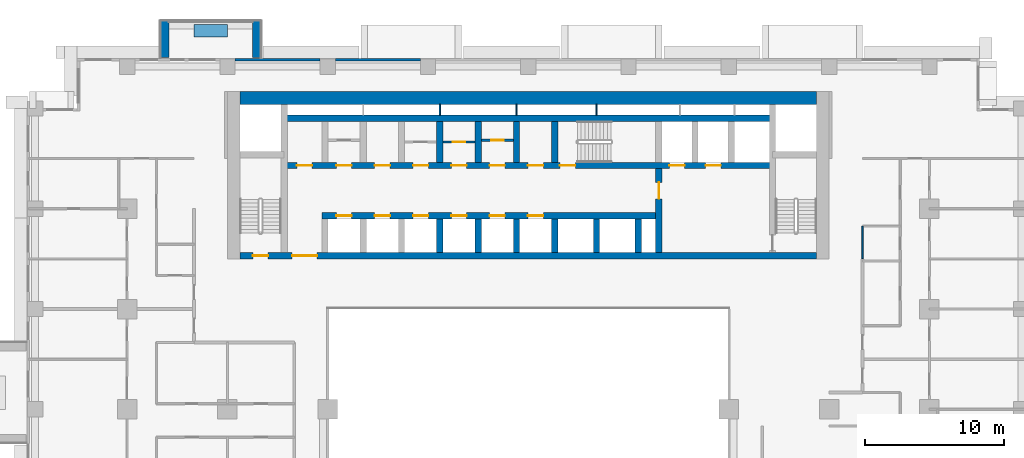
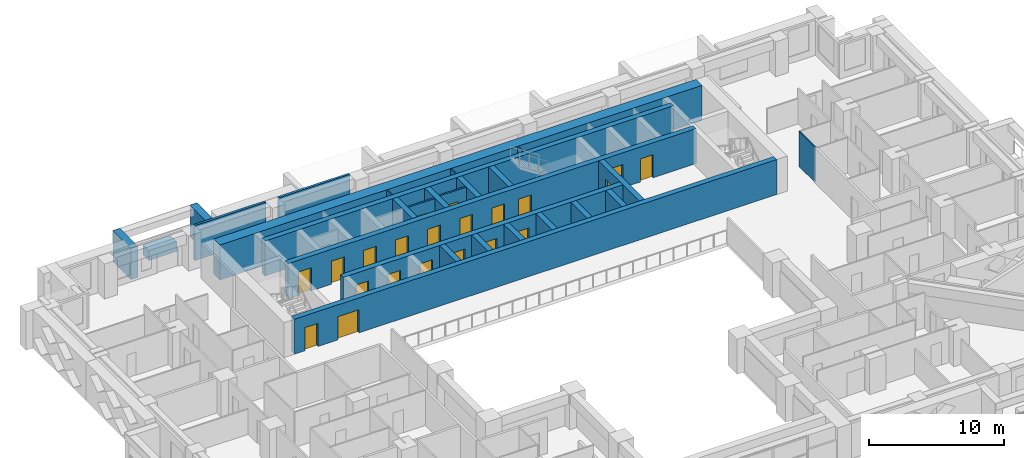
# One storey, part 10 of 16: 27 walls, 21 doors, 21 openings.
"""IFC4 building model written with IfcOpenShell, lengths in metres."""

from ifc_helpers import new_model, si_unit, direction, frame, frame_2d, origin, place, context, subcontext, project, spatial, rectangle, extrude, material, layer, layer_set, type_object, element, fill, save


model = new_model("IFC4")

# Units and contexts
model_context = context("Model", 3, precision=1e-05, world=origin(), true_north=direction((0.0, 1.0)))
body_context = subcontext(model_context, "Body", "Model", "MODEL_VIEW")
ifc_project = project(units=[si_unit("LENGTHUNIT", "METRE"), si_unit("AREAUNIT", "SQUARE_METRE"), si_unit("VOLUMEUNIT", "CUBIC_METRE"), si_unit("PLANEANGLEUNIT", "RADIAN"), si_unit("MASSUNIT", "GRAM", prefix="KILO")], contexts=[model_context])

# Site, building, storey
site_placement = place(None, origin())
site = spatial("IfcSite", under=ifc_project, at=site_placement, CompositionType="ELEMENT")
building_placement = place(site_placement, origin())
building = spatial("IfcBuilding", under=site, at=building_placement, Name="Saffron Iwan Residences", CompositionType="ELEMENT")
storey_placement = place(building_placement, frame((0.0, 0.0, 30.5)))
storey = spatial("IfcBuildingStorey", under=building, at=storey_placement, Name="L06", CompositionType="ELEMENT", Elevation=30.5)

# Walls
ifc_material_1 = material(Name="Concrete C50/60 white painted", Category="concrete")
ifc_layer_1 = layer(ifc_material_1, 0.60009765625)
ifc_layer_set_1 = layer_set([ifc_layer_1], Name="Concrete C50/60 white painted")
wall_type_1 = type_object("IfcWallType", Name="BALCONY FIN 600", PredefinedType="SOLIDWALL", material=ifc_layer_set_1)
for number, where, z_axis, x_axis, name in (
    (1, (30.89990234375, 80.449951171875, 0.0), (0.0, 0.0, 1.0), (0.0, 1.0, 0.0), "Balcony fin L06 F5-3a"),
    (2, (24.300048828125, 80.449951171875, 0.0), (0.0, 0.0, 1.0), (0.0, 1.0, 0.0), "Balcony fin L06 F5-3b"),
):
    element("IfcWall", number, at=place(storey_placement, frame(where, z_axis=z_axis, x_axis=x_axis)), inside=storey, type_object=wall_type_1, Name=name, PredefinedType="SOLIDWALL", context=body_context, shape_type="SweptSolid", body=[
        extrude(rectangle(XDim=2.650146484375, YDim=0.60009765625, at=frame_2d((1.3251953125, 0.0))), origin(), (0.0, 0.0, 1.0), 2.85009765625),
    ])
ifc_material_2 = material(Name="Concrete C35/45 white painted", Category="concrete")
ifc_layer_2 = layer(ifc_material_2, 0.14990234375)
ifc_layer_set_2 = layer_set([ifc_layer_2], Name="Concrete C35/45 white painted")
wall_type_2 = type_object("IfcWallType", Name="BALCONY PLANTER", PredefinedType="SOLIDWALL", material=ifc_layer_set_2)
wall_1_placement = place(storey_placement, frame((28.800048828125, 82.375, 0.0), z_axis=(0.0, 0.0, 1.0), x_axis=(-1.0, 0.0, 0.0)))
element("IfcWall", 3, at=wall_1_placement, inside=storey, type_object=wall_type_2, Name="PLANTER L06 F5-3", PredefinedType="SOLIDWALL", context=body_context, shape_type="SweptSolid", body=[
    extrude(rectangle(XDim=2.400146484375, YDim=0.89990234375, at=frame_2d((1.2001953125, 0.0))), origin(), (0.0, 0.0, 1.0), 0.89990234375),
])

# Wall, opening, door
ifc_material_3 = material(Name="Fire-rated plasterboard partition")
ifc_layer_3 = layer(ifc_material_3, 0.14990234375)
ifc_layer_set_3 = layer_set([ifc_layer_3], Name="Fire-rated plasterboard partition")
wall_type_3 = type_object("IfcWallType", Name="Core partition 150", PredefinedType="PARTITIONING", material=ifc_layer_set_3)
wall_2_placement = place(storey_placement, frame((44.27490234375, 74.39990234375, 0.0), z_axis=(0.0, 0.0, 1.0), x_axis=(1.0, 0.0, 0.0)))
wall_2 = element("IfcWall", 4, at=wall_2_placement, inside=storey, type_object=wall_type_3, Name="Core partition P03", PredefinedType="PARTITIONING", context=body_context, shape_type="SweptSolid", body=[
    extrude(rectangle(XDim=2.300048828125, YDim=0.14990234375, at=frame_2d((1.14990234375, 0.0))), origin(), (0.0, 0.0, 1.0), 3.179931640625),
])
opening_1_placement = place(wall_2_placement, frame((0.699951171875, 0.0, 0.0)))
opening_1 = element("IfcOpeningElement", 5, at=opening_1_placement, cuts=wall_2, Name="Opening SB", PredefinedType="OPENING", context=body_context, shape_type="SweptSolid", body=[
    extrude(rectangle(XDim=0.89990234375, YDim=2.10009765625, at=frame_2d((0.449951171875, 1.050048828125))), frame((0.0, 0.0849609375, 0.0), z_axis=(0.0, -1.0, 0.0), x_axis=(1.0, 0.0, 0.0)), (0.0, 0.0, 1.0), 0.169921875),
])
ifc_material_4 = material(Name="Steel fire door", Category="steel")
door_type_1 = type_object("IfcDoorType", Name="Store door 900", OperationType="NOTDEFINED", PredefinedType="DOOR", material=ifc_material_4)
door_1_placement = place(opening_1_placement, origin())
door_1 = element("IfcDoor", 6, at=door_1_placement, inside=storey, type_object=door_type_1, Name="Door Cabling room", OperationType="SINGLE_SWING_RIGHT", OverallHeight=2.10009765625, OverallWidth=0.89990234375, PredefinedType="DOOR", context=body_context, shape_type="SweptSolid", body=[
    extrude(rectangle(XDim=0.89990234375, YDim=2.10009765625, at=frame_2d((0.449951171875, 1.050048828125))), frame((0.0, 0.02490234375, 0.0), z_axis=(0.0, -1.0, 0.0), x_axis=(1.0, 0.0, 0.0)), (0.0, 0.0, 1.0), 0.050048828125),
])
fill(opening_1, door_1)

wall_3_placement = place(storey_placement, frame((47.02490234375, 74.51806640625, 0.0), z_axis=(0.0, 0.0, 1.0), x_axis=(1.0, 0.0, 0.0)))
wall_3 = element("IfcWall", 7, at=wall_3_placement, inside=storey, type_object=wall_type_3, Name="Core partition P04", PredefinedType="PARTITIONING", context=body_context, shape_type="SweptSolid", body=[
    extrude(rectangle(XDim=2.300048828125, YDim=0.14990234375, at=frame_2d((1.14990234375, 0.0))), origin(), (0.0, 0.0, 1.0), 3.179931640625),
])
opening_2_placement = place(wall_3_placement, frame((0.699951171875, 0.0, 0.0)))
opening_2 = element("IfcOpeningElement", 8, at=opening_2_placement, cuts=wall_3, Name="Opening SB", PredefinedType="OPENING", context=body_context, shape_type="SweptSolid", body=[
    extrude(rectangle(XDim=0.89990234375, YDim=2.10009765625, at=frame_2d((0.449951171875, 1.050048828125))), frame((0.0, 0.0849609375, 0.0), z_axis=(0.0, -1.0, 0.0), x_axis=(1.0, 0.0, 0.0)), (0.0, 0.0, 1.0), 0.169921875),
])
door_2_placement = place(opening_2_placement, origin())
door_2 = element("IfcDoor", 9, at=door_2_placement, inside=storey, type_object=door_type_1, Name="Door Equipment store", OperationType="SINGLE_SWING_RIGHT", OverallHeight=2.10009765625, OverallWidth=0.89990234375, PredefinedType="DOOR", context=body_context, shape_type="SweptSolid", body=[
    extrude(rectangle(XDim=0.89990234375, YDim=2.10009765625, at=frame_2d((0.449951171875, 1.050048828125))), frame((0.0, 0.02490234375, 0.0), z_axis=(0.0, -1.0, 0.0), x_axis=(1.0, 0.0, 0.0)), (0.0, 0.0, 1.0), 0.050048828125),
])
fill(opening_2, door_2)

# Walls
ifc_material_5 = material(Name="Concrete C40/50", Category="concrete")
ifc_layer_4 = layer(ifc_material_5, 0.199951171875)
ifc_layer_set_4 = layer_set([ifc_layer_4], Name="Concrete C40/50")
wall_type_4 = type_object("IfcWallType", Name="EXTERNAL WALL 200", PredefinedType="SOLIDWALL", material=ifc_layer_set_4)
for number, where, z_axis, x_axis, name in (
    (10, (42.64990234375, 80.300048828125, 0.0), (0.0, 0.0, 1.0), (-1.0, 0.0, 0.0), "External wall L06 F5.6"),
    (11, (35.449951171875, 80.300048828125, 0.0), (0.0, 0.0, 1.0), (-1.0, 0.0, 0.0), "External wall L06 F5.7"),
):
    element("IfcWall", number, at=place(storey_placement, frame(where, z_axis=z_axis, x_axis=x_axis)), inside=storey, type_object=wall_type_4, Name=name, PredefinedType="SOLIDWALL", context=body_context, shape_type="SweptSolid", body=[
        extrude(rectangle(XDim=6.099853515625, YDim=0.199951171875, at=frame_2d((3.0498046875, 0.0))), origin(), (0.0, 0.0, 1.0), 3.179931640625),
    ])
ifc_material_6 = material(Name="Gypsum board partition")
ifc_layer_5 = layer(ifc_material_6, 0.1201171875)
ifc_layer_set_5 = layer_set([ifc_layer_5], Name="Gypsum board partition")
wall_type_5 = type_object("IfcWallType", Name="Flat partition 120", PredefinedType="PARTITIONING", material=ifc_layer_set_5)
wall_4_placement = place(storey_placement, frame((74.39990234375, 66.02001953125, 0.0), z_axis=(0.0, 0.0, 1.0), x_axis=(0.0, 1.0, 0.0)))
element("IfcWall", 12, at=wall_4_placement, inside=storey, type_object=wall_type_5, Name="W-L06-PART-v74.4-66.02", PredefinedType="PARTITIONING", context=body_context, shape_type="SweptSolid", body=[
    extrude(rectangle(XDim=2.330078125, YDim=0.1201171875, at=frame_2d((1.1650390625, 0.0))), origin(), (0.0, 0.0, 1.0), 3.179931640625),
])
ifc_layer_6 = layer(ifc_material_3, 0.10009765625)
ifc_layer_set_6 = layer_set([ifc_layer_6], Name="Fire-rated plasterboard partition")
wall_type_6 = type_object("IfcWallType", Name="Riser partition 100", PredefinedType="PARTITIONING", material=ifc_layer_set_6)
for number, where, z_axis, x_axis, name in (
    (13, (44.050048828125, 76.324951171875, 0.0), (0.0, 0.0, 1.0), (0.0, 1.0, 0.0), "Core partition P06"),
    (14, (49.550048828125, 76.324951171875, 0.0), (0.0, 0.0, 1.0), (0.0, 1.0, 0.0), "Core partition P07"),
    (15, (55.300048828125, 76.324951171875, 0.0), (0.0, 0.0, 1.0), (0.0, 1.0, 0.0), "Core partition P08"),
):
    element("IfcWall", number, at=place(storey_placement, frame(where, z_axis=z_axis, x_axis=x_axis)), inside=storey, type_object=wall_type_6, Name=name, PredefinedType="PARTITIONING", context=body_context, shape_type="SweptSolid", body=[
        extrude(rectangle(XDim=0.775146484375, YDim=0.10009765625, at=frame_2d((0.3876953125, 0.0))), origin(), (0.0, 0.0, 1.0), 3.179931640625),
    ])

# Wall, openings, doors
ifc_material_7 = material(Name="Concrete C60/75", Category="concrete")
ifc_layer_7 = layer(ifc_material_7, 0.449951171875)
ifc_layer_set_7 = layer_set([ifc_layer_7], Name="Concrete C60/75")
wall_type_7 = type_object("IfcWallType", Name="WALL CORE 450 C60/75 3180 HIGH", PredefinedType="SHEAR", material=ifc_layer_set_7)
wall_5_placement = place(storey_placement, frame((29.699951171875, 66.22509765625, 0.0), z_axis=(0.0, 0.0, 1.0), x_axis=(1.0, 0.0, 0.0)))
wall_5 = element("IfcWall", 16, at=wall_5_placement, inside=storey, type_object=wall_type_7, Name="Core wall", PredefinedType="SHEAR", context=body_context, shape_type="SweptSolid", body=[
    extrude(rectangle(XDim=41.400146484375, YDim=0.449951171875, at=frame_2d((20.7001953125, 0.0))), origin(), (0.0, 0.0, 1.0), 3.179931640625),
])
opening_3_placement = place(wall_5_placement, frame((0.925048828125, 0.0, 0.0)))
opening_3 = element("IfcOpeningElement", 17, at=opening_3_placement, cuts=wall_5, Name="Opening SD", PredefinedType="OPENING", context=body_context, shape_type="SweptSolid", body=[
    extrude(rectangle(XDim=1.10009765625, YDim=2.10009765625, at=frame_2d((0.550048828125, 1.050048828125))), frame((0.0, 0.23486328125, 0.0), z_axis=(0.0, -1.0, 0.0), x_axis=(1.0, 0.0, 0.0)), (0.0, 0.0, 1.0), 0.469970703125),
])
opening_4_placement = place(wall_5_placement, frame((3.737548828125, 0.0, 0.0)))
opening_4 = element("IfcOpeningElement", 18, at=opening_4_placement, cuts=wall_5, Name="Opening DD", PredefinedType="OPENING", context=body_context, shape_type="SweptSolid", body=[
    extrude(rectangle(XDim=1.800048828125, YDim=2.10009765625, at=frame_2d((0.89990234375, 1.050048828125))), frame((0.0, 0.23486328125, 0.0), z_axis=(0.0, -1.0, 0.0), x_axis=(1.0, 0.0, 0.0)), (0.0, 0.0, 1.0), 0.469970703125),
])
door_type_2 = type_object("IfcDoorType", Name="Lobby double door 1800", OperationType="DOUBLE_DOOR_SINGLE_SWING", PredefinedType="DOOR", material=ifc_material_4)
door_3_placement = place(opening_4_placement, origin())
door_3 = element("IfcDoor", 19, at=door_3_placement, inside=storey, type_object=door_type_2, Name="Lobby doors", OperationType="DOUBLE_DOOR_SINGLE_SWING", OverallHeight=2.10009765625, OverallWidth=1.800048828125, PredefinedType="DOOR", context=body_context, shape_type="SweptSolid", body=[
    extrude(rectangle(XDim=1.800048828125, YDim=2.10009765625, at=frame_2d((0.89990234375, 1.050048828125))), frame((0.0, 0.02490234375, 0.0), z_axis=(0.0, -1.0, 0.0), x_axis=(1.0, 0.0, 0.0)), (0.0, 0.0, 1.0), 0.050048828125),
])
fill(opening_4, door_3)
door_type_3 = type_object("IfcDoorType", Name="Stair door 1100", OperationType="NOTDEFINED", PredefinedType="DOOR", material=ifc_material_4)
door_4_placement = place(opening_3_placement, origin())
door_4 = element("IfcDoor", 20, at=door_4_placement, inside=storey, type_object=door_type_3, Name="Stair door ST-W", OperationType="SINGLE_SWING_LEFT", OverallHeight=2.10009765625, OverallWidth=1.10009765625, PredefinedType="DOOR", context=body_context, shape_type="SweptSolid", body=[
    extrude(rectangle(XDim=1.10009765625, YDim=2.10009765625, at=frame_2d((0.550048828125, 1.050048828125))), frame((0.0, 0.02490234375, 0.0), z_axis=(0.0, -1.0, 0.0), x_axis=(1.0, 0.0, 0.0)), (0.0, 0.0, 1.0), 0.050048828125),
])
fill(opening_3, door_4)

wall_6_placement = place(storey_placement, frame((35.574951171875, 69.10009765625, 0.0), z_axis=(0.0, 0.0, 1.0), x_axis=(1.0, 0.0, 0.0)))
wall_6 = element("IfcWall", 21, at=wall_6_placement, inside=storey, type_object=wall_type_7, Name="Core wall", PredefinedType="SHEAR", context=body_context, shape_type="SweptSolid", body=[
    extrude(rectangle(XDim=24.199951171875, YDim=0.449951171875, at=frame_2d((12.10009765625, 0.0))), origin(), (0.0, 0.0, 1.0), 3.179931640625),
])
opening_5_placement = place(wall_6_placement, frame((1.050048828125, 0.0, 0.0)))
opening_5 = element("IfcOpeningElement", 22, at=opening_5_placement, cuts=wall_6, Name="Opening LD", PredefinedType="OPENING", context=body_context, shape_type="SweptSolid", body=[
    extrude(rectangle(XDim=1.10009765625, YDim=2.10009765625, at=frame_2d((0.550048828125, 1.050048828125))), frame((0.0, 0.23486328125, 0.0), z_axis=(0.0, -1.0, 0.0), x_axis=(1.0, 0.0, 0.0)), (0.0, 0.0, 1.0), 0.469970703125),
])
opening_6_placement = place(wall_6_placement, frame((3.800048828125, 0.0, 0.0)))
opening_6 = element("IfcOpeningElement", 23, at=opening_6_placement, cuts=wall_6, Name="Opening LD", PredefinedType="OPENING", context=body_context, shape_type="SweptSolid", body=[
    extrude(rectangle(XDim=1.10009765625, YDim=2.10009765625, at=frame_2d((0.550048828125, 1.050048828125))), frame((0.0, 0.23486328125, 0.0), z_axis=(0.0, -1.0, 0.0), x_axis=(1.0, 0.0, 0.0)), (0.0, 0.0, 1.0), 0.469970703125),
])
opening_7_placement = place(wall_6_placement, frame((6.550048828125, 0.0, 0.0)))
opening_7 = element("IfcOpeningElement", 24, at=opening_7_placement, cuts=wall_6, Name="Opening LD", PredefinedType="OPENING", context=body_context, shape_type="SweptSolid", body=[
    extrude(rectangle(XDim=1.10009765625, YDim=2.10009765625, at=frame_2d((0.550048828125, 1.050048828125))), frame((0.0, 0.23486328125, 0.0), z_axis=(0.0, -1.0, 0.0), x_axis=(1.0, 0.0, 0.0)), (0.0, 0.0, 1.0), 0.469970703125),
])
opening_8_placement = place(wall_6_placement, frame((9.300048828125, 0.0, 0.0)))
opening_8 = element("IfcOpeningElement", 25, at=opening_8_placement, cuts=wall_6, Name="Opening LD", PredefinedType="OPENING", context=body_context, shape_type="SweptSolid", body=[
    extrude(rectangle(XDim=1.10009765625, YDim=2.10009765625, at=frame_2d((0.550048828125, 1.050048828125))), frame((0.0, 0.23486328125, 0.0), z_axis=(0.0, -1.0, 0.0), x_axis=(1.0, 0.0, 0.0)), (0.0, 0.0, 1.0), 0.469970703125),
])
opening_9_placement = place(wall_6_placement, frame((12.050048828125, 0.0, 0.0)))
opening_9 = element("IfcOpeningElement", 26, at=opening_9_placement, cuts=wall_6, Name="Opening LD", PredefinedType="OPENING", context=body_context, shape_type="SweptSolid", body=[
    extrude(rectangle(XDim=1.10009765625, YDim=2.10009765625, at=frame_2d((0.550048828125, 1.050048828125))), frame((0.0, 0.23486328125, 0.0), z_axis=(0.0, -1.0, 0.0), x_axis=(1.0, 0.0, 0.0)), (0.0, 0.0, 1.0), 0.469970703125),
])
opening_10_placement = place(wall_6_placement, frame((14.800048828125, 0.0, 0.0)))
opening_10 = element("IfcOpeningElement", 27, at=opening_10_placement, cuts=wall_6, Name="Opening LD", PredefinedType="OPENING", context=body_context, shape_type="SweptSolid", body=[
    extrude(rectangle(XDim=1.10009765625, YDim=2.10009765625, at=frame_2d((0.550048828125, 1.050048828125))), frame((0.0, 0.23486328125, 0.0), z_axis=(0.0, -1.0, 0.0), x_axis=(1.0, 0.0, 0.0)), (0.0, 0.0, 1.0), 0.469970703125),
])
door_type_4 = type_object("IfcDoorType", Name="Lift landing door 1100", OperationType="SLIDING_TO_LEFT", PredefinedType="DOOR", material=ifc_material_4)
door_5_placement = place(opening_5_placement, origin())
door_5 = element("IfcDoor", 28, at=door_5_placement, inside=storey, type_object=door_type_4, Name="Landing doors LR1", OperationType="SLIDING_TO_LEFT", OverallHeight=2.10009765625, OverallWidth=1.10009765625, PredefinedType="DOOR", context=body_context, shape_type="SweptSolid", body=[
    extrude(rectangle(XDim=1.10009765625, YDim=2.10009765625, at=frame_2d((0.550048828125, 1.050048828125))), frame((0.0, 0.02490234375, 0.0), z_axis=(0.0, -1.0, 0.0), x_axis=(1.0, 0.0, 0.0)), (0.0, 0.0, 1.0), 0.050048828125),
])
fill(opening_5, door_5)
door_6_placement = place(opening_6_placement, origin())
door_6 = element("IfcDoor", 29, at=door_6_placement, inside=storey, type_object=door_type_4, Name="Landing doors LR2", OperationType="SLIDING_TO_LEFT", OverallHeight=2.10009765625, OverallWidth=1.10009765625, PredefinedType="DOOR", context=body_context, shape_type="SweptSolid", body=[
    extrude(rectangle(XDim=1.10009765625, YDim=2.10009765625, at=frame_2d((0.550048828125, 1.050048828125))), frame((0.0, 0.02490234375, 0.0), z_axis=(0.0, -1.0, 0.0), x_axis=(1.0, 0.0, 0.0)), (0.0, 0.0, 1.0), 0.050048828125),
])
fill(opening_6, door_6)
door_7_placement = place(opening_7_placement, origin())
door_7 = element("IfcDoor", 30, at=door_7_placement, inside=storey, type_object=door_type_4, Name="Landing doors LR3", OperationType="SLIDING_TO_LEFT", OverallHeight=2.10009765625, OverallWidth=1.10009765625, PredefinedType="DOOR", context=body_context, shape_type="SweptSolid", body=[
    extrude(rectangle(XDim=1.10009765625, YDim=2.10009765625, at=frame_2d((0.550048828125, 1.050048828125))), frame((0.0, 0.02490234375, 0.0), z_axis=(0.0, -1.0, 0.0), x_axis=(1.0, 0.0, 0.0)), (0.0, 0.0, 1.0), 0.050048828125),
])
fill(opening_7, door_7)
door_8_placement = place(opening_8_placement, origin())
door_8 = element("IfcDoor", 31, at=door_8_placement, inside=storey, type_object=door_type_4, Name="Landing doors LR4", OperationType="SLIDING_TO_LEFT", OverallHeight=2.10009765625, OverallWidth=1.10009765625, PredefinedType="DOOR", context=body_context, shape_type="SweptSolid", body=[
    extrude(rectangle(XDim=1.10009765625, YDim=2.10009765625, at=frame_2d((0.550048828125, 1.050048828125))), frame((0.0, 0.02490234375, 0.0), z_axis=(0.0, -1.0, 0.0), x_axis=(1.0, 0.0, 0.0)), (0.0, 0.0, 1.0), 0.050048828125),
])
fill(opening_8, door_8)
door_9_placement = place(opening_9_placement, origin())
door_9 = element("IfcDoor", 32, at=door_9_placement, inside=storey, type_object=door_type_4, Name="Landing doors LR5", OperationType="SLIDING_TO_LEFT", OverallHeight=2.10009765625, OverallWidth=1.10009765625, PredefinedType="DOOR", context=body_context, shape_type="SweptSolid", body=[
    extrude(rectangle(XDim=1.10009765625, YDim=2.10009765625, at=frame_2d((0.550048828125, 1.050048828125))), frame((0.0, 0.02490234375, 0.0), z_axis=(0.0, -1.0, 0.0), x_axis=(1.0, 0.0, 0.0)), (0.0, 0.0, 1.0), 0.050048828125),
])
fill(opening_9, door_9)
door_10_placement = place(opening_10_placement, origin())
door_10 = element("IfcDoor", 33, at=door_10_placement, inside=storey, type_object=door_type_4, Name="Landing doors LR6", OperationType="SLIDING_TO_LEFT", OverallHeight=2.10009765625, OverallWidth=1.10009765625, PredefinedType="DOOR", context=body_context, shape_type="SweptSolid", body=[
    extrude(rectangle(XDim=1.10009765625, YDim=2.10009765625, at=frame_2d((0.550048828125, 1.050048828125))), frame((0.0, 0.02490234375, 0.0), z_axis=(0.0, -1.0, 0.0), x_axis=(1.0, 0.0, 0.0)), (0.0, 0.0, 1.0), 0.050048828125),
])
fill(opening_10, door_10)

wall_7_placement = place(storey_placement, frame((32.875, 72.699951171875, 0.0), z_axis=(0.0, 0.0, 1.0), x_axis=(1.0, 0.0, 0.0)))
wall_7 = element("IfcWall", 34, at=wall_7_placement, inside=storey, type_object=wall_type_7, Name="Core wall", PredefinedType="SHEAR", context=body_context, shape_type="SweptSolid", body=[
    extrude(rectangle(XDim=35.050048828125, YDim=0.449951171875, at=frame_2d((17.52490234375, 0.0))), origin(), (0.0, 0.0, 1.0), 3.179931640625),
])
opening_11_placement = place(wall_7_placement, frame((19.800048828125, 0.0, 0.0)))
opening_11 = element("IfcOpeningElement", 35, at=opening_11_placement, cuts=wall_7, Name="Opening SD", PredefinedType="OPENING", context=body_context, shape_type="SweptSolid", body=[
    extrude(rectangle(XDim=1.10009765625, YDim=2.10009765625, at=frame_2d((0.550048828125, 1.050048828125))), frame((0.0, 0.23486328125, 0.0), z_axis=(0.0, -1.0, 0.0), x_axis=(1.0, 0.0, 0.0)), (0.0, 0.0, 1.0), 0.469970703125),
])
opening_12_placement = place(wall_7_placement, frame((27.64990234375, 0.0, 0.0)))
opening_12 = element("IfcOpeningElement", 36, at=opening_12_placement, cuts=wall_7, Name="Opening LD", PredefinedType="OPENING", context=body_context, shape_type="SweptSolid", body=[
    extrude(rectangle(XDim=1.10009765625, YDim=2.10009765625, at=frame_2d((0.550048828125, 1.050048828125))), frame((0.0, 0.23486328125, 0.0), z_axis=(0.0, -1.0, 0.0), x_axis=(1.0, 0.0, 0.0)), (0.0, 0.0, 1.0), 0.469970703125),
])
opening_13_placement = place(wall_7_placement, frame((30.25, 0.0, 0.0)))
opening_13 = element("IfcOpeningElement", 37, at=opening_13_placement, cuts=wall_7, Name="Opening LD", PredefinedType="OPENING", context=body_context, shape_type="SweptSolid", body=[
    extrude(rectangle(XDim=1.10009765625, YDim=2.10009765625, at=frame_2d((0.550048828125, 1.050048828125))), frame((0.0, 0.23486328125, 0.0), z_axis=(0.0, -1.0, 0.0), x_axis=(1.0, 0.0, 0.0)), (0.0, 0.0, 1.0), 0.469970703125),
])
opening_14_placement = place(wall_7_placement, frame((3.75, 0.0, 0.0)))
opening_14 = element("IfcOpeningElement", 38, at=opening_14_placement, cuts=wall_7, Name="Opening SR", PredefinedType="OPENING", context=body_context, shape_type="SweptSolid", body=[
    extrude(rectangle(XDim=1.10009765625, YDim=2.10009765625, at=frame_2d((0.550048828125, 1.050048828125))), frame((0.0, 0.23486328125, 0.0), z_axis=(0.0, -1.0, 0.0), x_axis=(1.0, 0.0, 0.0)), (0.0, 0.0, 1.0), 0.469970703125),
])
opening_15_placement = place(wall_7_placement, frame((6.5, 0.0, 0.0)))
opening_15 = element("IfcOpeningElement", 39, at=opening_15_placement, cuts=wall_7, Name="Opening SR", PredefinedType="OPENING", context=body_context, shape_type="SweptSolid", body=[
    extrude(rectangle(XDim=1.10009765625, YDim=2.10009765625, at=frame_2d((0.550048828125, 1.050048828125))), frame((0.0, 0.23486328125, 0.0), z_axis=(0.0, -1.0, 0.0), x_axis=(1.0, 0.0, 0.0)), (0.0, 0.0, 1.0), 0.469970703125),
])
opening_16_placement = place(wall_7_placement, frame((9.25, 0.0, 0.0)))
opening_16 = element("IfcOpeningElement", 40, at=opening_16_placement, cuts=wall_7, Name="Opening SR", PredefinedType="OPENING", context=body_context, shape_type="SweptSolid", body=[
    extrude(rectangle(XDim=1.10009765625, YDim=2.10009765625, at=frame_2d((0.550048828125, 1.050048828125))), frame((0.0, 0.23486328125, 0.0), z_axis=(0.0, -1.0, 0.0), x_axis=(1.0, 0.0, 0.0)), (0.0, 0.0, 1.0), 0.469970703125),
])
opening_17_placement = place(wall_7_placement, frame((12.0, 0.0, 0.0)))
opening_17 = element("IfcOpeningElement", 41, at=opening_17_placement, cuts=wall_7, Name="Opening SR", PredefinedType="OPENING", context=body_context, shape_type="SweptSolid", body=[
    extrude(rectangle(XDim=1.10009765625, YDim=2.10009765625, at=frame_2d((0.550048828125, 1.050048828125))), frame((0.0, 0.23486328125, 0.0), z_axis=(0.0, -1.0, 0.0), x_axis=(1.0, 0.0, 0.0)), (0.0, 0.0, 1.0), 0.469970703125),
])
opening_18_placement = place(wall_7_placement, frame((14.75, 0.0, 0.0)))
opening_18 = element("IfcOpeningElement", 42, at=opening_18_placement, cuts=wall_7, Name="Opening SR", PredefinedType="OPENING", context=body_context, shape_type="SweptSolid", body=[
    extrude(rectangle(XDim=1.10009765625, YDim=2.10009765625, at=frame_2d((0.550048828125, 1.050048828125))), frame((0.0, 0.23486328125, 0.0), z_axis=(0.0, -1.0, 0.0), x_axis=(1.0, 0.0, 0.0)), (0.0, 0.0, 1.0), 0.469970703125),
])
opening_19_placement = place(wall_7_placement, frame((17.5, 0.0, 0.0)))
opening_19 = element("IfcOpeningElement", 43, at=opening_19_placement, cuts=wall_7, Name="Opening SR", PredefinedType="OPENING", context=body_context, shape_type="SweptSolid", body=[
    extrude(rectangle(XDim=1.10009765625, YDim=2.10009765625, at=frame_2d((0.550048828125, 1.050048828125))), frame((0.0, 0.23486328125, 0.0), z_axis=(0.0, -1.0, 0.0), x_axis=(1.0, 0.0, 0.0)), (0.0, 0.0, 1.0), 0.469970703125),
])
opening_20_placement = place(wall_7_placement, frame((0.91259765625, 0.0, 0.0)))
opening_20 = element("IfcOpeningElement", 44, at=opening_20_placement, cuts=wall_7, Name="Opening SR", PredefinedType="OPENING", context=body_context, shape_type="SweptSolid", body=[
    extrude(rectangle(XDim=1.10009765625, YDim=2.10009765625, at=frame_2d((0.550048828125, 1.050048828125))), frame((0.0, 0.23486328125, 0.0), z_axis=(0.0, -1.0, 0.0), x_axis=(1.0, 0.0, 0.0)), (0.0, 0.0, 1.0), 0.469970703125),
])
door_11_placement = place(opening_12_placement, origin())
door_11 = element("IfcDoor", 45, at=door_11_placement, inside=storey, type_object=door_type_4, Name="Landing doors FF1", OperationType="SLIDING_TO_LEFT", OverallHeight=2.10009765625, OverallWidth=1.10009765625, PredefinedType="DOOR", context=body_context, shape_type="SweptSolid", body=[
    extrude(rectangle(XDim=1.10009765625, YDim=2.10009765625, at=frame_2d((0.550048828125, 1.050048828125))), frame((0.0, 0.02490234375, 0.0), z_axis=(0.0, -1.0, 0.0), x_axis=(1.0, 0.0, 0.0)), (0.0, 0.0, 1.0), 0.050048828125),
])
fill(opening_12, door_11)
door_12_placement = place(opening_13_placement, origin())
door_12 = element("IfcDoor", 46, at=door_12_placement, inside=storey, type_object=door_type_4, Name="Landing doors FF2", OperationType="SLIDING_TO_LEFT", OverallHeight=2.10009765625, OverallWidth=1.10009765625, PredefinedType="DOOR", context=body_context, shape_type="SweptSolid", body=[
    extrude(rectangle(XDim=1.10009765625, YDim=2.10009765625, at=frame_2d((0.550048828125, 1.050048828125))), frame((0.0, 0.02490234375, 0.0), z_axis=(0.0, -1.0, 0.0), x_axis=(1.0, 0.0, 0.0)), (0.0, 0.0, 1.0), 0.050048828125),
])
fill(opening_13, door_12)
door_type_5 = type_object("IfcDoorType", Name="Service door 1100", OperationType="NOTDEFINED", PredefinedType="DOOR", material=ifc_material_4)
door_13_placement = place(opening_14_placement, origin())
door_13 = element("IfcDoor", 47, at=door_13_placement, inside=storey, type_object=door_type_5, Name="Door Electrical room", OperationType="SINGLE_SWING_LEFT", OverallHeight=2.10009765625, OverallWidth=1.10009765625, PredefinedType="DOOR", context=body_context, shape_type="SweptSolid", body=[
    extrude(rectangle(XDim=1.10009765625, YDim=2.10009765625, at=frame_2d((0.550048828125, 1.050048828125))), frame((0.0, 0.02490234375, 0.0), z_axis=(0.0, -1.0, 0.0), x_axis=(1.0, 0.0, 0.0)), (0.0, 0.0, 1.0), 0.050048828125),
])
fill(opening_14, door_13)
door_14_placement = place(opening_15_placement, origin())
door_14 = element("IfcDoor", 48, at=door_14_placement, inside=storey, type_object=door_type_5, Name="Door Luggage store", OperationType="SINGLE_SWING_LEFT", OverallHeight=2.10009765625, OverallWidth=1.10009765625, PredefinedType="DOOR", context=body_context, shape_type="SweptSolid", body=[
    extrude(rectangle(XDim=1.10009765625, YDim=2.10009765625, at=frame_2d((0.550048828125, 1.050048828125))), frame((0.0, 0.02490234375, 0.0), z_axis=(0.0, -1.0, 0.0), x_axis=(1.0, 0.0, 0.0)), (0.0, 0.0, 1.0), 0.050048828125),
])
fill(opening_15, door_14)
door_15_placement = place(opening_16_placement, origin())
door_15 = element("IfcDoor", 49, at=door_15_placement, inside=storey, type_object=door_type_5, Name="Door Refuse store", OperationType="SINGLE_SWING_LEFT", OverallHeight=2.10009765625, OverallWidth=1.10009765625, PredefinedType="DOOR", context=body_context, shape_type="SweptSolid", body=[
    extrude(rectangle(XDim=1.10009765625, YDim=2.10009765625, at=frame_2d((0.550048828125, 1.050048828125))), frame((0.0, 0.02490234375, 0.0), z_axis=(0.0, -1.0, 0.0), x_axis=(1.0, 0.0, 0.0)), (0.0, 0.0, 1.0), 0.050048828125),
])
fill(opening_16, door_15)
door_16_placement = place(opening_17_placement, origin())
door_16 = element("IfcDoor", 50, at=door_16_placement, inside=storey, type_object=door_type_5, Name="Door Maintenance store", OperationType="SINGLE_SWING_LEFT", OverallHeight=2.10009765625, OverallWidth=1.10009765625, PredefinedType="DOOR", context=body_context, shape_type="SweptSolid", body=[
    extrude(rectangle(XDim=1.10009765625, YDim=2.10009765625, at=frame_2d((0.550048828125, 1.050048828125))), frame((0.0, 0.02490234375, 0.0), z_axis=(0.0, -1.0, 0.0), x_axis=(1.0, 0.0, 0.0)), (0.0, 0.0, 1.0), 0.050048828125),
])
fill(opening_17, door_16)
door_17_placement = place(opening_18_placement, origin())
door_17 = element("IfcDoor", 51, at=door_17_placement, inside=storey, type_object=door_type_5, Name="Door Linen store", OperationType="SINGLE_SWING_LEFT", OverallHeight=2.10009765625, OverallWidth=1.10009765625, PredefinedType="DOOR", context=body_context, shape_type="SweptSolid", body=[
    extrude(rectangle(XDim=1.10009765625, YDim=2.10009765625, at=frame_2d((0.550048828125, 1.050048828125))), frame((0.0, 0.02490234375, 0.0), z_axis=(0.0, -1.0, 0.0), x_axis=(1.0, 0.0, 0.0)), (0.0, 0.0, 1.0), 0.050048828125),
])
fill(opening_18, door_17)
door_18_placement = place(opening_19_placement, origin())
door_18 = element("IfcDoor", 52, at=door_18_placement, inside=storey, type_object=door_type_5, Name="Door Pantry", OperationType="SINGLE_SWING_LEFT", OverallHeight=2.10009765625, OverallWidth=1.10009765625, PredefinedType="DOOR", context=body_context, shape_type="SweptSolid", body=[
    extrude(rectangle(XDim=1.10009765625, YDim=2.10009765625, at=frame_2d((0.550048828125, 1.050048828125))), frame((0.0, 0.02490234375, 0.0), z_axis=(0.0, -1.0, 0.0), x_axis=(1.0, 0.0, 0.0)), (0.0, 0.0, 1.0), 0.050048828125),
])
fill(opening_19, door_18)
door_19_placement = place(opening_20_placement, origin())
door_19 = element("IfcDoor", 53, at=door_19_placement, inside=storey, type_object=door_type_5, Name="Door Cleaner's store", OperationType="SINGLE_SWING_LEFT", OverallHeight=2.10009765625, OverallWidth=1.10009765625, PredefinedType="DOOR", context=body_context, shape_type="SweptSolid", body=[
    extrude(rectangle(XDim=1.10009765625, YDim=2.10009765625, at=frame_2d((0.550048828125, 1.050048828125))), frame((0.0, 0.02490234375, 0.0), z_axis=(0.0, -1.0, 0.0), x_axis=(1.0, 0.0, 0.0)), (0.0, 0.0, 1.0), 0.050048828125),
])
fill(opening_20, door_19)
door_20_placement = place(opening_11_placement, origin())
door_20 = element("IfcDoor", 54, at=door_20_placement, inside=storey, type_object=door_type_3, Name="Stair door ST-C", OperationType="SINGLE_SWING_LEFT", OverallHeight=2.10009765625, OverallWidth=1.10009765625, PredefinedType="DOOR", context=body_context, shape_type="SweptSolid", body=[
    extrude(rectangle(XDim=1.10009765625, YDim=2.10009765625, at=frame_2d((0.550048828125, 1.050048828125))), frame((0.0, 0.02490234375, 0.0), z_axis=(0.0, -1.0, 0.0), x_axis=(1.0, 0.0, 0.0)), (0.0, 0.0, 1.0), 0.050048828125),
])
fill(opening_11, door_20)

# Wall
wall_8_placement = place(storey_placement, frame((32.875, 76.10009765625, 0.0), z_axis=(0.0, 0.0, 1.0), x_axis=(1.0, 0.0, 0.0)))
element("IfcWall", 55, at=wall_8_placement, inside=storey, type_object=wall_type_7, Name="Core wall", PredefinedType="SHEAR", context=body_context, shape_type="SweptSolid", body=[
    extrude(rectangle(XDim=35.050048828125, YDim=0.449951171875, at=frame_2d((17.52490234375, 0.0))), origin(), (0.0, 0.0, 1.0), 3.179931640625),
])

# Wall, opening, door
wall_9_placement = place(storey_placement, frame((59.77490234375, 66.449951171875, 0.0), z_axis=(0.0, 0.0, 1.0), x_axis=(0.0, 1.0, 0.0)))
wall_9 = element("IfcWall", 56, at=wall_9_placement, inside=storey, type_object=wall_type_7, Name="Core wall", PredefinedType="SHEAR", context=body_context, shape_type="SweptSolid", body=[
    extrude(rectangle(XDim=6.025146484375, YDim=0.449951171875, at=frame_2d((3.0126953125, 0.0))), origin(), (0.0, 0.0, 1.0), 3.179931640625),
])
opening_21_placement = place(wall_9_placement, frame((3.85009765625, 0.0, 0.0)))
opening_21 = element("IfcOpeningElement", 57, at=opening_21_placement, cuts=wall_9, Name="Opening FD", PredefinedType="OPENING", context=body_context, shape_type="SweptSolid", body=[
    extrude(rectangle(XDim=1.199951171875, YDim=2.10009765625, at=frame_2d((0.60009765625, 1.050048828125))), frame((0.0, 0.23486328125, 0.0), z_axis=(0.0, -1.0, 0.0), x_axis=(1.0, 0.0, 0.0)), (0.0, 0.0, 1.0), 0.469970703125),
])
door_type_6 = type_object("IfcDoorType", Name="Firefighting lobby door 1200", OperationType="NOTDEFINED", PredefinedType="DOOR", material=ifc_material_4)
door_21_placement = place(opening_21_placement, origin())
door_21 = element("IfcDoor", 58, at=door_21_placement, inside=storey, type_object=door_type_6, Name="Firefighting lobby door", OperationType="SINGLE_SWING_RIGHT", OverallHeight=2.10009765625, OverallWidth=1.199951171875, PredefinedType="DOOR", context=body_context, shape_type="SweptSolid", body=[
    extrude(rectangle(XDim=1.199951171875, YDim=2.10009765625, at=frame_2d((0.60009765625, 1.050048828125))), frame((0.0, 0.02490234375, 0.0), z_axis=(0.0, -1.0, 0.0), x_axis=(1.0, 0.0, 0.0)), (0.0, 0.0, 1.0), 0.050048828125),
])
fill(opening_21, door_21)

# Walls
for number, where, z_axis, x_axis, name in (
    (59, (44.050048828125, 66.449951171875, 0.0), (0.0, 0.0, 1.0), (0.0, 1.0, 0.0), "Core wall"),
    (60, (46.800048828125, 66.449951171875, 0.0), (0.0, 0.0, 1.0), (0.0, 1.0, 0.0), "Core wall"),
    (61, (49.550048828125, 66.449951171875, 0.0), (0.0, 0.0, 1.0), (0.0, 1.0, 0.0), "Core wall"),
    (62, (52.300048828125, 66.449951171875, 0.0), (0.0, 0.0, 1.0), (0.0, 1.0, 0.0), "Core wall"),
    (63, (55.300048828125, 66.449951171875, 0.0), (0.0, 0.0, 1.0), (0.0, 1.0, 0.0), "Core wall"),
    (64, (58.300048828125, 66.449951171875, 0.0), (0.0, 0.0, 1.0), (0.0, 1.0, 0.0), "Core wall"),
):
    element("IfcWall", number, at=place(storey_placement, frame(where, z_axis=z_axis, x_axis=x_axis)), inside=storey, type_object=wall_type_7, Name=name, PredefinedType="SHEAR", context=body_context, shape_type="SweptSolid", body=[
        extrude(rectangle(XDim=2.425048828125, YDim=0.449951171875, at=frame_2d((1.21240234375, 0.0))), origin(), (0.0, 0.0, 1.0), 3.179931640625),
    ])
for number, where, z_axis, x_axis, name in (
    (65, (44.050048828125, 72.925048828125, 0.0), (0.0, 0.0, 1.0), (0.0, 1.0, 0.0), "Core wall"),
    (66, (46.800048828125, 72.925048828125, 0.0), (0.0, 0.0, 1.0), (0.0, 1.0, 0.0), "Core wall"),
    (67, (49.550048828125, 72.925048828125, 0.0), (0.0, 0.0, 1.0), (0.0, 1.0, 0.0), "Core wall"),
    (68, (52.300048828125, 72.925048828125, 0.0), (0.0, 0.0, 1.0), (0.0, 1.0, 0.0), "Core wall"),
):
    element("IfcWall", number, at=place(storey_placement, frame(where, z_axis=z_axis, x_axis=x_axis)), inside=storey, type_object=wall_type_7, Name=name, PredefinedType="SHEAR", context=body_context, shape_type="SweptSolid", body=[
        extrude(rectangle(XDim=2.949951171875, YDim=0.449951171875, at=frame_2d((1.47509765625, 0.0))), origin(), (0.0, 0.0, 1.0), 3.179931640625),
    ])
ifc_layer_8 = layer(ifc_material_7, 0.89990234375)
ifc_layer_set_8 = layer_set([ifc_layer_8], Name="Concrete C60/75")
wall_type_8 = type_object("IfcWallType", Name="WALL CORE 900 C60/75 3180 HIGH", PredefinedType="SHEAR", material=ifc_layer_set_8)
wall_10_placement = place(storey_placement, frame((29.699951171875, 77.550048828125, 0.0), z_axis=(0.0, 0.0, 1.0), x_axis=(1.0, 0.0, 0.0)))
element("IfcWall", 69, at=wall_10_placement, inside=storey, type_object=wall_type_8, Name="Core wall", PredefinedType="SHEAR", context=body_context, shape_type="SweptSolid", body=[
    extrude(rectangle(XDim=41.400146484375, YDim=0.89990234375, at=frame_2d((20.7001953125, 0.0))), origin(), (0.0, 0.0, 1.0), 3.179931640625),
])

save(model, "model.ifc")
